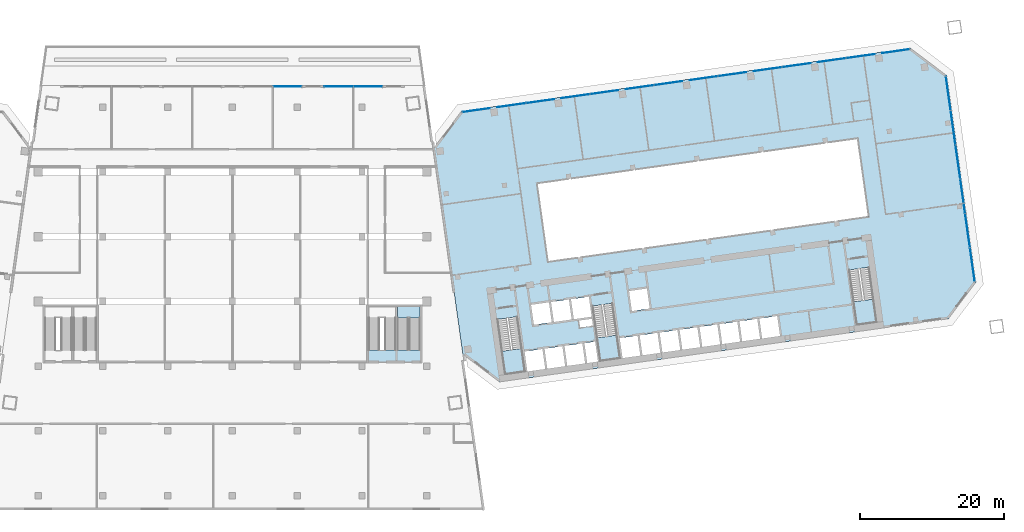
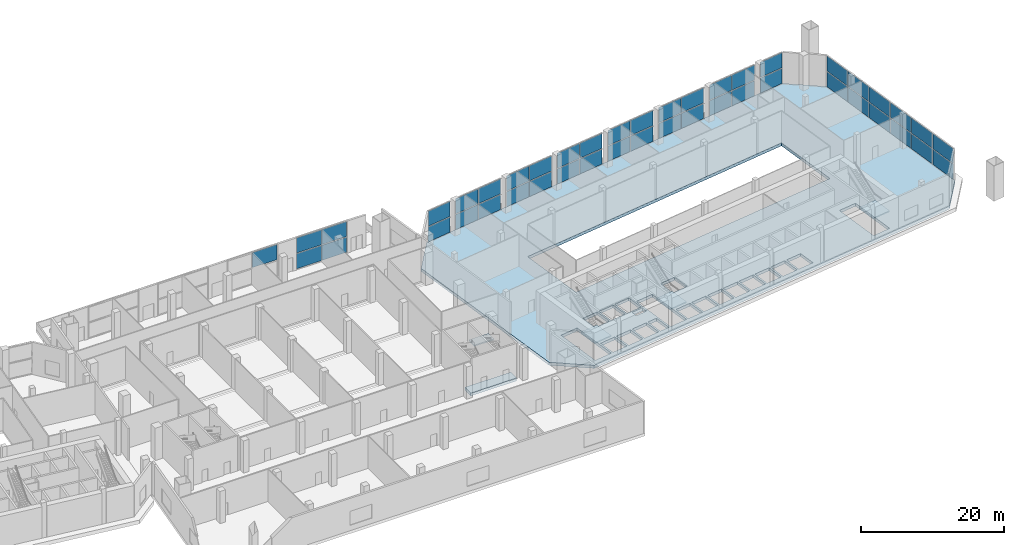
# One storey, part 8 of 24: 45 plates, 6 slabs, 8 elements without a shape of their own.
"""IFC4 building model written with IfcOpenShell, lengths in metres."""

from ifc_helpers import new_model, si_unit, direction, frame, origin, origin_2d, place, context, subcontext, project, spatial, polyline, rectangle, outline, extrude, material, layer, layer_set, type_object, element, aggregate, save


model = new_model("IFC4")

# Units and contexts
model_context = context("Model", 3, precision=1e-05, world=origin(), true_north=direction((0.0, 1.0)))
body_context = subcontext(model_context, "Body", "Model", "MODEL_VIEW")
ifc_project = project(units=[si_unit("LENGTHUNIT", "METRE"), si_unit("AREAUNIT", "SQUARE_METRE"), si_unit("VOLUMEUNIT", "CUBIC_METRE"), si_unit("PLANEANGLEUNIT", "RADIAN"), si_unit("MASSUNIT", "GRAM", prefix="KILO")], contexts=[model_context])

# Site, building, storey
site_placement = place(None, origin())
site = spatial("IfcSite", under=ifc_project, at=site_placement, CompositionType="ELEMENT")
building_placement = place(site_placement, origin())
building = spatial("IfcBuilding", under=site, at=building_placement, Name="Mirante Cascada Hotel Towers", CompositionType="ELEMENT")
storey_placement = place(building_placement, frame((0.0, 0.0, 17.5)))
storey = spatial("IfcBuildingStorey", under=building, at=storey_placement, Name="L02", CompositionType="ELEMENT", Elevation=17.5)

# Curtain wall, plates
ifc_material_1 = material(Name="Aluminium mullion and transom frame with clear laminated glass", Category="aluminium")
curtain_wall_type = type_object("IfcCurtainWallType", Name="Podium curtain wall ECW3", PredefinedType="NOTDEFINED", material=ifc_material_1)
curtain_wall_1_placement = place(storey_placement, origin())
curtain_wall_1 = element("IfcCurtainWall", 1, at=curtain_wall_1_placement, inside=storey, type_object=curtain_wall_type, Name="Front podium glazing T2 L02", PredefinedType="NOTDEFINED")
ifc_material_2 = material(Name="Clear laminated glass", Category="glass")
ifc_layer_1 = layer(ifc_material_2, 0.04)
ifc_layer_set_1 = layer_set([ifc_layer_1], Name="ECW3 glass panel 40")
plate_type = type_object("IfcPlateType", Name="ECW3 glass panel 40", PredefinedType="CURTAIN_PANEL", material=ifc_layer_set_1)
plate_1_placement = place(storey_placement, frame((92.1787, 25.7739, 0.12), z_axis=(0.0, 0.0, 1.0), x_axis=(-0.9902681, -0.1391731, 0.0)))
plate_1 = element("IfcPlate", 2, at=plate_1_placement, type_object=plate_type, Name="ECW3 panel 1", PredefinedType="CURTAIN_PANEL", context=body_context, shape_type="SweptSolid", body=[
    extrude(rectangle(XDim=3.8379, YDim=0.04, at=origin_2d()), origin(), (0.0, 0.0, 1.0), 2.57),
])
plate_2_placement = place(storey_placement, frame((92.1787, 25.7739, 2.81), z_axis=(0.0, 0.0, 1.0), x_axis=(-0.9902681, -0.1391731, 0.0)))
plate_2 = element("IfcPlate", 3, at=plate_2_placement, type_object=plate_type, Name="ECW3 panel 1", PredefinedType="CURTAIN_PANEL", context=body_context, shape_type="SweptSolid", body=[
    extrude(rectangle(XDim=3.8379, YDim=0.04, at=origin_2d()), origin(), (0.0, 0.0, 1.0), 2.57),
])
plate_3_placement = place(storey_placement, frame((87.2757, 25.0848, 0.12), z_axis=(0.0, 0.0, 1.0), x_axis=(-0.9902681, -0.1391731, 0.0)))
plate_3 = element("IfcPlate", 4, at=plate_3_placement, type_object=plate_type, Name="ECW3 panel 2", PredefinedType="CURTAIN_PANEL", context=body_context, shape_type="SweptSolid", body=[
    extrude(rectangle(XDim=3.9844, YDim=0.04, at=origin_2d()), origin(), (0.0, 0.0, 1.0), 2.57),
])
plate_4_placement = place(storey_placement, frame((87.2757, 25.0848, 2.81), z_axis=(0.0, 0.0, 1.0), x_axis=(-0.9902681, -0.1391731, 0.0)))
plate_4 = element("IfcPlate", 5, at=plate_4_placement, type_object=plate_type, Name="ECW3 panel 2", PredefinedType="CURTAIN_PANEL", context=body_context, shape_type="SweptSolid", body=[
    extrude(rectangle(XDim=3.9844, YDim=0.04, at=origin_2d()), origin(), (0.0, 0.0, 1.0), 2.57),
])
plate_5_placement = place(storey_placement, frame((83.2949, 24.5254, 0.12), z_axis=(0.0, 0.0, 1.0), x_axis=(-0.9902681, -0.1391731, 0.0)))
plate_5 = element("IfcPlate", 6, at=plate_5_placement, type_object=plate_type, Name="ECW3 panel 3", PredefinedType="CURTAIN_PANEL", context=body_context, shape_type="SweptSolid", body=[
    extrude(rectangle(XDim=3.8956, YDim=0.04, at=origin_2d()), origin(), (0.0, 0.0, 1.0), 2.57),
])
plate_6_placement = place(storey_placement, frame((83.2949, 24.5254, 2.81), z_axis=(0.0, 0.0, 1.0), x_axis=(-0.9902681, -0.1391731, 0.0)))
plate_6 = element("IfcPlate", 7, at=plate_6_placement, type_object=plate_type, Name="ECW3 panel 3", PredefinedType="CURTAIN_PANEL", context=body_context, shape_type="SweptSolid", body=[
    extrude(rectangle(XDim=3.8956, YDim=0.04, at=origin_2d()), origin(), (0.0, 0.0, 1.0), 2.57),
])
plate_7_placement = place(storey_placement, frame((78.3721, 23.8335, 0.12), z_axis=(0.0, 0.0, 1.0), x_axis=(-0.9902681, -0.1391731, 0.0)))
plate_7 = element("IfcPlate", 8, at=plate_7_placement, type_object=plate_type, Name="ECW3 panel 4", PredefinedType="CURTAIN_PANEL", context=body_context, shape_type="SweptSolid", body=[
    extrude(rectangle(XDim=3.9666, YDim=0.04, at=origin_2d()), origin(), (0.0, 0.0, 1.0), 2.57),
])
plate_8_placement = place(storey_placement, frame((78.3721, 23.8335, 2.81), z_axis=(0.0, 0.0, 1.0), x_axis=(-0.9902681, -0.1391731, 0.0)))
plate_8 = element("IfcPlate", 9, at=plate_8_placement, type_object=plate_type, Name="ECW3 panel 4", PredefinedType="CURTAIN_PANEL", context=body_context, shape_type="SweptSolid", body=[
    extrude(rectangle(XDim=3.9666, YDim=0.04, at=origin_2d()), origin(), (0.0, 0.0, 1.0), 2.57),
])
plate_9_placement = place(storey_placement, frame((74.3912, 23.274, 0.12), z_axis=(0.0, 0.0, 1.0), x_axis=(-0.9902681, -0.1391731, 0.0)))
plate_9 = element("IfcPlate", 10, at=plate_9_placement, type_object=plate_type, Name="ECW3 panel 5", PredefinedType="CURTAIN_PANEL", context=body_context, shape_type="SweptSolid", body=[
    extrude(rectangle(XDim=3.9134, YDim=0.04, at=origin_2d()), origin(), (0.0, 0.0, 1.0), 2.57),
])
plate_10_placement = place(storey_placement, frame((74.3912, 23.274, 2.81), z_axis=(0.0, 0.0, 1.0), x_axis=(-0.9902681, -0.1391731, 0.0)))
plate_10 = element("IfcPlate", 11, at=plate_10_placement, type_object=plate_type, Name="ECW3 panel 5", PredefinedType="CURTAIN_PANEL", context=body_context, shape_type="SweptSolid", body=[
    extrude(rectangle(XDim=3.9134, YDim=0.04, at=origin_2d()), origin(), (0.0, 0.0, 1.0), 2.57),
])
plate_11_placement = place(storey_placement, frame((69.4685, 22.5822, 0.12), z_axis=(0.0, 0.0, 1.0), x_axis=(-0.9902681, -0.1391731, 0.0)))
plate_11 = element("IfcPlate", 12, at=plate_11_placement, type_object=plate_type, Name="ECW3 panel 6", PredefinedType="CURTAIN_PANEL", context=body_context, shape_type="SweptSolid", body=[
    extrude(rectangle(XDim=3.9489, YDim=0.04, at=origin_2d()), origin(), (0.0, 0.0, 1.0), 2.57),
])
plate_12_placement = place(storey_placement, frame((69.4685, 22.5822, 2.81), z_axis=(0.0, 0.0, 1.0), x_axis=(-0.9902681, -0.1391731, 0.0)))
plate_12 = element("IfcPlate", 13, at=plate_12_placement, type_object=plate_type, Name="ECW3 panel 6", PredefinedType="CURTAIN_PANEL", context=body_context, shape_type="SweptSolid", body=[
    extrude(rectangle(XDim=3.9489, YDim=0.04, at=origin_2d()), origin(), (0.0, 0.0, 1.0), 2.57),
])
plate_13_placement = place(storey_placement, frame((65.4876, 22.0227, 0.12), z_axis=(0.0, 0.0, 1.0), x_axis=(-0.9902681, -0.1391731, 0.0)))
plate_13 = element("IfcPlate", 14, at=plate_13_placement, type_object=plate_type, Name="ECW3 panel 7", PredefinedType="CURTAIN_PANEL", context=body_context, shape_type="SweptSolid", body=[
    extrude(rectangle(XDim=3.9311, YDim=0.04, at=origin_2d()), origin(), (0.0, 0.0, 1.0), 2.57),
])
plate_14_placement = place(storey_placement, frame((65.4876, 22.0227, 2.81), z_axis=(0.0, 0.0, 1.0), x_axis=(-0.9902681, -0.1391731, 0.0)))
plate_14 = element("IfcPlate", 15, at=plate_14_placement, type_object=plate_type, Name="ECW3 panel 7", PredefinedType="CURTAIN_PANEL", context=body_context, shape_type="SweptSolid", body=[
    extrude(rectangle(XDim=3.9311, YDim=0.04, at=origin_2d()), origin(), (0.0, 0.0, 1.0), 2.57),
])
plate_15_placement = place(storey_placement, frame((60.5649, 21.3309, 0.12), z_axis=(0.0, 0.0, 1.0), x_axis=(-0.9902681, -0.1391731, 0.0)))
plate_15 = element("IfcPlate", 16, at=plate_15_placement, type_object=plate_type, Name="ECW3 panel 8", PredefinedType="CURTAIN_PANEL", context=body_context, shape_type="SweptSolid", body=[
    extrude(rectangle(XDim=3.9311, YDim=0.04, at=origin_2d()), origin(), (0.0, 0.0, 1.0), 2.57),
])
plate_16_placement = place(storey_placement, frame((60.5649, 21.3309, 2.81), z_axis=(0.0, 0.0, 1.0), x_axis=(-0.9902681, -0.1391731, 0.0)))
plate_16 = element("IfcPlate", 17, at=plate_16_placement, type_object=plate_type, Name="ECW3 panel 8", PredefinedType="CURTAIN_PANEL", context=body_context, shape_type="SweptSolid", body=[
    extrude(rectangle(XDim=3.9311, YDim=0.04, at=origin_2d()), origin(), (0.0, 0.0, 1.0), 2.57),
])
plate_17_placement = place(storey_placement, frame((56.584, 20.7714, 0.12), z_axis=(0.0, 0.0, 1.0), x_axis=(-0.9902681, -0.1391731, 0.0)))
plate_17 = element("IfcPlate", 18, at=plate_17_placement, type_object=plate_type, Name="ECW3 panel 9", PredefinedType="CURTAIN_PANEL", context=body_context, shape_type="SweptSolid", body=[
    extrude(rectangle(XDim=3.9489, YDim=0.04, at=origin_2d()), origin(), (0.0, 0.0, 1.0), 2.57),
])
plate_18_placement = place(storey_placement, frame((56.584, 20.7714, 2.81), z_axis=(0.0, 0.0, 1.0), x_axis=(-0.9902681, -0.1391731, 0.0)))
plate_18 = element("IfcPlate", 19, at=plate_18_placement, type_object=plate_type, Name="ECW3 panel 9", PredefinedType="CURTAIN_PANEL", context=body_context, shape_type="SweptSolid", body=[
    extrude(rectangle(XDim=3.9489, YDim=0.04, at=origin_2d()), origin(), (0.0, 0.0, 1.0), 2.57),
])
plate_19_placement = place(storey_placement, frame((51.6612, 20.0795, 0.12), z_axis=(0.0, 0.0, 1.0), x_axis=(-0.9902681, -0.1391731, 0.0)))
plate_19 = element("IfcPlate", 20, at=plate_19_placement, type_object=plate_type, Name="ECW3 panel 10", PredefinedType="CURTAIN_PANEL", context=body_context, shape_type="SweptSolid", body=[
    extrude(rectangle(XDim=3.9134, YDim=0.04, at=origin_2d()), origin(), (0.0, 0.0, 1.0), 2.57),
])
plate_20_placement = place(storey_placement, frame((51.6612, 20.0795, 2.81), z_axis=(0.0, 0.0, 1.0), x_axis=(-0.9902681, -0.1391731, 0.0)))
plate_20 = element("IfcPlate", 21, at=plate_20_placement, type_object=plate_type, Name="ECW3 panel 10", PredefinedType="CURTAIN_PANEL", context=body_context, shape_type="SweptSolid", body=[
    extrude(rectangle(XDim=3.9134, YDim=0.04, at=origin_2d()), origin(), (0.0, 0.0, 1.0), 2.57),
])
plate_21_placement = place(storey_placement, frame((47.6804, 19.5201, 0.12), z_axis=(0.0, 0.0, 1.0), x_axis=(-0.9902681, -0.1391731, 0.0)))
plate_21 = element("IfcPlate", 22, at=plate_21_placement, type_object=plate_type, Name="ECW3 panel 11", PredefinedType="CURTAIN_PANEL", context=body_context, shape_type="SweptSolid", body=[
    extrude(rectangle(XDim=3.9666, YDim=0.04, at=origin_2d()), origin(), (0.0, 0.0, 1.0), 2.57),
])
plate_22_placement = place(storey_placement, frame((47.6804, 19.5201, 2.81), z_axis=(0.0, 0.0, 1.0), x_axis=(-0.9902681, -0.1391731, 0.0)))
plate_22 = element("IfcPlate", 23, at=plate_22_placement, type_object=plate_type, Name="ECW3 panel 11", PredefinedType="CURTAIN_PANEL", context=body_context, shape_type="SweptSolid", body=[
    extrude(rectangle(XDim=3.9666, YDim=0.04, at=origin_2d()), origin(), (0.0, 0.0, 1.0), 2.57),
])
plate_23_placement = place(storey_placement, frame((42.7576, 18.8282, 0.12), z_axis=(0.0, 0.0, 1.0), x_axis=(-0.9902681, -0.1391731, 0.0)))
plate_23 = element("IfcPlate", 24, at=plate_23_placement, type_object=plate_type, Name="ECW3 panel 12", PredefinedType="CURTAIN_PANEL", context=body_context, shape_type="SweptSolid", body=[
    extrude(rectangle(XDim=3.8956, YDim=0.04, at=origin_2d()), origin(), (0.0, 0.0, 1.0), 2.57),
])
plate_24_placement = place(storey_placement, frame((42.7576, 18.8282, 2.81), z_axis=(0.0, 0.0, 1.0), x_axis=(-0.9902681, -0.1391731, 0.0)))
plate_24 = element("IfcPlate", 25, at=plate_24_placement, type_object=plate_type, Name="ECW3 panel 12", PredefinedType="CURTAIN_PANEL", context=body_context, shape_type="SweptSolid", body=[
    extrude(rectangle(XDim=3.8956, YDim=0.04, at=origin_2d()), origin(), (0.0, 0.0, 1.0), 2.57),
])
plate_25_placement = place(storey_placement, frame((38.7767, 18.2687, 0.12), z_axis=(0.0, 0.0, 1.0), x_axis=(-0.9902681, -0.1391731, 0.0)))
plate_25 = element("IfcPlate", 26, at=plate_25_placement, type_object=plate_type, Name="ECW3 panel 13", PredefinedType="CURTAIN_PANEL", context=body_context, shape_type="SweptSolid", body=[
    extrude(rectangle(XDim=3.9844, YDim=0.04, at=origin_2d()), origin(), (0.0, 0.0, 1.0), 2.57),
])
plate_26_placement = place(storey_placement, frame((38.7767, 18.2687, 2.81), z_axis=(0.0, 0.0, 1.0), x_axis=(-0.9902681, -0.1391731, 0.0)))
plate_26 = element("IfcPlate", 27, at=plate_26_placement, type_object=plate_type, Name="ECW3 panel 13", PredefinedType="CURTAIN_PANEL", context=body_context, shape_type="SweptSolid", body=[
    extrude(rectangle(XDim=3.9844, YDim=0.04, at=origin_2d()), origin(), (0.0, 0.0, 1.0), 2.57),
])
plate_27_placement = place(storey_placement, frame((33.8738, 17.5797, 0.12), z_axis=(0.0, 0.0, 1.0), x_axis=(-0.9902681, -0.1391731, 0.0)))
plate_27 = element("IfcPlate", 28, at=plate_27_placement, type_object=plate_type, Name="ECW3 panel 14", PredefinedType="CURTAIN_PANEL", context=body_context, shape_type="SweptSolid", body=[
    extrude(rectangle(XDim=3.8379, YDim=0.04, at=origin_2d()), origin(), (0.0, 0.0, 1.0), 2.57),
])
plate_28_placement = place(storey_placement, frame((33.8738, 17.5797, 2.81), z_axis=(0.0, 0.0, 1.0), x_axis=(-0.9902681, -0.1391731, 0.0)))
plate_28 = element("IfcPlate", 29, at=plate_28_placement, type_object=plate_type, Name="ECW3 panel 14", PredefinedType="CURTAIN_PANEL", context=body_context, shape_type="SweptSolid", body=[
    extrude(rectangle(XDim=3.8379, YDim=0.04, at=origin_2d()), origin(), (0.0, 0.0, 1.0), 2.57),
])
aggregate(curtain_wall_1, [plate_1, plate_2, plate_3, plate_4, plate_5, plate_6, plate_7, plate_8, plate_9, plate_10, plate_11, plate_12, plate_13, plate_14, plate_15, plate_16, plate_17, plate_18, plate_19, plate_20, plate_21, plate_22, plate_23, plate_24, plate_25, plate_26, plate_27, plate_28])

curtain_wall_2_placement = place(storey_placement, origin())
curtain_wall_2 = element("IfcCurtainWall", 30, at=curtain_wall_2_placement, inside=storey, type_object=curtain_wall_type, Name="Outer end podium glazing T2 L02", PredefinedType="NOTDEFINED")
plate_29_placement = place(storey_placement, frame((102.8224, -3.8951, 0.12), z_axis=(0.0, 0.0, 1.0), x_axis=(-0.1391731, 0.9902681, 0.0)))
plate_29 = element("IfcPlate", 31, at=plate_29_placement, type_object=plate_type, Name="ECW3 panel 1", PredefinedType="CURTAIN_PANEL", context=body_context, shape_type="SweptSolid", body=[
    extrude(rectangle(XDim=4.6926, YDim=0.04, at=origin_2d()), origin(), (0.0, 0.0, 1.0), 2.57),
])
plate_30_placement = place(storey_placement, frame((102.8224, -3.8951, 2.81), z_axis=(0.0, 0.0, 1.0), x_axis=(-0.1391731, 0.9902681, 0.0)))
plate_30 = element("IfcPlate", 32, at=plate_30_placement, type_object=plate_type, Name="ECW3 panel 1", PredefinedType="CURTAIN_PANEL", context=body_context, shape_type="SweptSolid", body=[
    extrude(rectangle(XDim=4.6926, YDim=0.04, at=origin_2d()), origin(), (0.0, 0.0, 1.0), 2.57),
])
plate_31_placement = place(storey_placement, frame((102.1554, 0.8509, 0.12), z_axis=(0.0, 0.0, 1.0), x_axis=(-0.1391731, 0.9902681, 0.0)))
plate_31 = element("IfcPlate", 33, at=plate_31_placement, type_object=plate_type, Name="ECW3 panel 2", PredefinedType="CURTAIN_PANEL", context=body_context, shape_type="SweptSolid", body=[
    extrude(rectangle(XDim=4.7326, YDim=0.04, at=origin_2d()), origin(), (0.0, 0.0, 1.0), 2.57),
])
plate_32_placement = place(storey_placement, frame((102.1554, 0.8509, 2.81), z_axis=(0.0, 0.0, 1.0), x_axis=(-0.1391731, 0.9902681, 0.0)))
plate_32 = element("IfcPlate", 34, at=plate_32_placement, type_object=plate_type, Name="ECW3 panel 2", PredefinedType="CURTAIN_PANEL", context=body_context, shape_type="SweptSolid", body=[
    extrude(rectangle(XDim=4.7326, YDim=0.04, at=origin_2d()), origin(), (0.0, 0.0, 1.0), 2.57),
])
plate_33_placement = place(storey_placement, frame((101.4857, 5.6167, 0.12), z_axis=(0.0, 0.0, 1.0), x_axis=(-0.1391731, 0.9902681, 0.0)))
plate_33 = element("IfcPlate", 35, at=plate_33_placement, type_object=plate_type, Name="ECW3 panel 3", PredefinedType="CURTAIN_PANEL", context=body_context, shape_type="SweptSolid", body=[
    extrude(rectangle(XDim=4.7326, YDim=0.04, at=origin_2d()), origin(), (0.0, 0.0, 1.0), 2.57),
])
plate_34_placement = place(storey_placement, frame((101.4857, 5.6167, 2.81), z_axis=(0.0, 0.0, 1.0), x_axis=(-0.1391731, 0.9902681, 0.0)))
plate_34 = element("IfcPlate", 36, at=plate_34_placement, type_object=plate_type, Name="ECW3 panel 3", PredefinedType="CURTAIN_PANEL", context=body_context, shape_type="SweptSolid", body=[
    extrude(rectangle(XDim=4.7326, YDim=0.04, at=origin_2d()), origin(), (0.0, 0.0, 1.0), 2.57),
])
plate_35_placement = place(storey_placement, frame((100.8159, 10.3825, 0.12), z_axis=(0.0, 0.0, 1.0), x_axis=(-0.1391731, 0.9902681, 0.0)))
plate_35 = element("IfcPlate", 37, at=plate_35_placement, type_object=plate_type, Name="ECW3 panel 4", PredefinedType="CURTAIN_PANEL", context=body_context, shape_type="SweptSolid", body=[
    extrude(rectangle(XDim=4.7326, YDim=0.04, at=origin_2d()), origin(), (0.0, 0.0, 1.0), 2.57),
])
plate_36_placement = place(storey_placement, frame((100.8159, 10.3825, 2.81), z_axis=(0.0, 0.0, 1.0), x_axis=(-0.1391731, 0.9902681, 0.0)))
plate_36 = element("IfcPlate", 38, at=plate_36_placement, type_object=plate_type, Name="ECW3 panel 4", PredefinedType="CURTAIN_PANEL", context=body_context, shape_type="SweptSolid", body=[
    extrude(rectangle(XDim=4.7326, YDim=0.04, at=origin_2d()), origin(), (0.0, 0.0, 1.0), 2.57),
])
plate_37_placement = place(storey_placement, frame((100.1461, 15.1483, 0.12), z_axis=(0.0, 0.0, 1.0), x_axis=(-0.1391731, 0.9902681, 0.0)))
plate_37 = element("IfcPlate", 39, at=plate_37_placement, type_object=plate_type, Name="ECW3 panel 5", PredefinedType="CURTAIN_PANEL", context=body_context, shape_type="SweptSolid", body=[
    extrude(rectangle(XDim=4.7326, YDim=0.04, at=origin_2d()), origin(), (0.0, 0.0, 1.0), 2.57),
])
plate_38_placement = place(storey_placement, frame((100.1461, 15.1483, 2.81), z_axis=(0.0, 0.0, 1.0), x_axis=(-0.1391731, 0.9902681, 0.0)))
plate_38 = element("IfcPlate", 40, at=plate_38_placement, type_object=plate_type, Name="ECW3 panel 5", PredefinedType="CURTAIN_PANEL", context=body_context, shape_type="SweptSolid", body=[
    extrude(rectangle(XDim=4.7326, YDim=0.04, at=origin_2d()), origin(), (0.0, 0.0, 1.0), 2.57),
])
plate_39_placement = place(storey_placement, frame((99.4791, 19.8942, 0.12), z_axis=(0.0, 0.0, 1.0), x_axis=(-0.1391731, 0.9902681, 0.0)))
plate_39 = element("IfcPlate", 41, at=plate_39_placement, type_object=plate_type, Name="ECW3 panel 6", PredefinedType="CURTAIN_PANEL", context=body_context, shape_type="SweptSolid", body=[
    extrude(rectangle(XDim=4.6926, YDim=0.04, at=origin_2d()), origin(), (0.0, 0.0, 1.0), 2.57),
])
plate_40_placement = place(storey_placement, frame((99.4791, 19.8942, 2.81), z_axis=(0.0, 0.0, 1.0), x_axis=(-0.1391731, 0.9902681, 0.0)))
plate_40 = element("IfcPlate", 42, at=plate_40_placement, type_object=plate_type, Name="ECW3 panel 6", PredefinedType="CURTAIN_PANEL", context=body_context, shape_type="SweptSolid", body=[
    extrude(rectangle(XDim=4.6926, YDim=0.04, at=origin_2d()), origin(), (0.0, 0.0, 1.0), 2.57),
])
aggregate(curtain_wall_2, [plate_29, plate_30, plate_31, plate_32, plate_33, plate_34, plate_35, plate_36, plate_37, plate_38, plate_39, plate_40])

curtain_wall_3_placement = place(storey_placement, origin())
curtain_wall_3 = element("IfcCurtainWall", 43, at=curtain_wall_3_placement, inside=storey, type_object=curtain_wall_type, Name="Podium curtain wall L02 run 4.2", PredefinedType="NOTDEFINED")
plate_41_placement = place(storey_placement, frame((18.838, 20.85, 0.12), z_axis=(0.0, 0.0, 1.0), x_axis=(-1.0, 0.0, 0.0)))
plate_41 = element("IfcPlate", 44, at=plate_41_placement, type_object=plate_type, Name="ECW3 panel 1", PredefinedType="CURTAIN_PANEL", context=body_context, shape_type="SweptSolid", body=[
    extrude(rectangle(XDim=3.982, YDim=0.04, at=origin_2d()), origin(), (0.0, 0.0, 1.0), 2.57),
])
plate_42_placement = place(storey_placement, frame((18.838, 20.85, 2.81), z_axis=(0.0, 0.0, 1.0), x_axis=(-1.0, 0.0, 0.0)))
plate_42 = element("IfcPlate", 45, at=plate_42_placement, type_object=plate_type, Name="ECW3 panel 1", PredefinedType="CURTAIN_PANEL", context=body_context, shape_type="SweptSolid", body=[
    extrude(rectangle(XDim=3.982, YDim=0.04, at=origin_2d()), origin(), (0.0, 0.0, 1.0), 2.57),
])
plate_43_placement = place(storey_placement, frame((14.776, 20.85, 0.12), z_axis=(0.0, 0.0, 1.0), x_axis=(-1.0, 0.0, 0.0)))
plate_43 = element("IfcPlate", 46, at=plate_43_placement, type_object=plate_type, Name="ECW3 panel 2", PredefinedType="CURTAIN_PANEL", context=body_context, shape_type="SweptSolid", body=[
    extrude(rectangle(XDim=3.982, YDim=0.04, at=origin_2d()), origin(), (0.0, 0.0, 1.0), 2.57),
])
plate_44_placement = place(storey_placement, frame((14.776, 20.85, 2.81), z_axis=(0.0, 0.0, 1.0), x_axis=(-1.0, 0.0, 0.0)))
plate_44 = element("IfcPlate", 47, at=plate_44_placement, type_object=plate_type, Name="ECW3 panel 2", PredefinedType="CURTAIN_PANEL", context=body_context, shape_type="SweptSolid", body=[
    extrude(rectangle(XDim=3.982, YDim=0.04, at=origin_2d()), origin(), (0.0, 0.0, 1.0), 2.57),
])
aggregate(curtain_wall_3, [plate_41, plate_42, plate_43, plate_44])

# Curtain wall, plate
curtain_wall_4_placement = place(storey_placement, origin())
curtain_wall_4 = element("IfcCurtainWall", 48, at=curtain_wall_4_placement, inside=storey, type_object=curtain_wall_type, Name="Podium curtain wall L02 run 4.4", PredefinedType="NOTDEFINED")
plate_45_placement = place(storey_placement, frame((7.6338, 20.85, 2.81), z_axis=(0.0, 0.0, 1.0), x_axis=(-1.0, 0.0, 0.0)))
plate_45 = element("IfcPlate", 49, at=plate_45_placement, type_object=plate_type, Name="ECW3 panel 1", PredefinedType="CURTAIN_PANEL", context=body_context, shape_type="SweptSolid", body=[
    extrude(rectangle(XDim=3.9825, YDim=0.04, at=origin_2d()), origin(), (0.0, 0.0, 1.0), 2.57),
])
aggregate(curtain_wall_4, [plate_45])

# Stair, slab
ifc_material_3 = material(Name="Concrete C35/45", Category="concrete")
stair_type_1 = type_object("IfcStairType", Name="Exit stair half-turn 1350 concrete C35/45", PredefinedType="HALF_TURN_STAIR", material=ifc_material_3)
stair_1_placement = place(storey_placement, origin())
stair_1 = element("IfcStair", 50, at=stair_1_placement, inside=storey, type_object=stair_type_1, Name="L02 Exit stair A", PredefinedType="HALF_TURN_STAIR")
ifc_material_4 = material(Name="Concrete C35/45", Category="concrete")
ifc_layer_2 = layer(ifc_material_4, 0.2)
ifc_layer_set_2 = layer_set([ifc_layer_2], Name="Exit stair landing 200 concrete C35/45")
slab_type_1 = type_object("IfcSlabType", Name="Exit stair landing 200 concrete C35/45", PredefinedType="LANDING", material=ifc_layer_set_2)
slab_1_placement = place(storey_placement, frame((0.0, 0.0, 2.8)))
slab_1 = element("IfcSlab", 51, at=slab_1_placement, type_object=slab_type_1, Name="ST2-A landing 1", PredefinedType="LANDING", context=body_context, shape_type="SweptSolid", body=[
    extrude(outline(polyline([(37.4103, -15.9262), (37.8665, -19.1723), (40.6887, -18.7757), (40.2325, -15.5296), (37.4103, -15.9262)])), origin(), (0.0, 0.0, 1.0), 0.2),
])
aggregate(stair_1, [slab_1])

stair_2_placement = place(storey_placement, origin())
stair_2 = element("IfcStair", 52, at=stair_2_placement, inside=storey, type_object=stair_type_1, Name="L02 Exit stair B", PredefinedType="HALF_TURN_STAIR")
slab_2_placement = place(storey_placement, frame((0.0, 0.0, 2.8)))
slab_2 = element("IfcSlab", 53, at=slab_2_placement, type_object=slab_type_1, Name="ST2-B landing 1", PredefinedType="LANDING", context=body_context, shape_type="SweptSolid", body=[
    extrude(outline(polyline([(50.6304, -14.0683), (51.0866, -17.3144), (53.9088, -16.9177), (53.4526, -13.6716), (50.6304, -14.0683)])), origin(), (0.0, 0.0, 1.0), 0.2),
])
aggregate(stair_2, [slab_2])

stair_3_placement = place(storey_placement, origin())
stair_3 = element("IfcStair", 54, at=stair_3_placement, inside=storey, type_object=stair_type_1, Name="L02 Exit stair C", PredefinedType="HALF_TURN_STAIR")
slab_3_placement = place(storey_placement, frame((0.0, 0.0, 2.8)))
slab_3 = element("IfcSlab", 55, at=slab_3_placement, type_object=slab_type_1, Name="ST2-C landing 1", PredefinedType="LANDING", context=body_context, shape_type="SweptSolid", body=[
    extrude(outline(polyline([(86.28, -9.058), (86.7362, -12.3041), (89.5585, -11.9075), (89.1023, -8.6614), (86.28, -9.058)])), origin(), (0.0, 0.0, 1.0), 0.2),
])
aggregate(stair_3, [slab_3])

ifc_material_5 = material(Name="Concrete C35/45", Category="concrete")
stair_type_2 = type_object("IfcStairType", Name="Podium exit stair half-turn 1500 concrete C35/45", PredefinedType="HALF_TURN_STAIR", material=ifc_material_5)
stair_4_placement = place(storey_placement, origin())
stair_4 = element("IfcStair", 56, at=stair_4_placement, inside=storey, type_object=stair_type_2, Name="L02 Podium exit stair 4", PredefinedType="HALF_TURN_STAIR")
ifc_material_6 = material(Name="Concrete C35/45", Category="concrete")
ifc_layer_3 = layer(ifc_material_6, 0.2)
ifc_layer_set_3 = layer_set([ifc_layer_3], Name="Podium exit stair landing 200 concrete C35/45")
slab_type_2 = type_object("IfcSlabType", Name="Podium exit stair landing 200 concrete C35/45", PredefinedType="LANDING", material=ifc_layer_set_3)
slab_4_placement = place(storey_placement, frame((0.0, 0.0, 2.8)))
slab_4 = element("IfcSlab", 57, at=slab_4_placement, type_object=slab_type_2, Name="PS2 landing 1", PredefinedType="LANDING", context=body_context, shape_type="SweptSolid", body=[
    extrude(outline(polyline([(26.075, -11.295), (26.075, -9.725), (22.925, -9.725), (22.925, -11.295), (26.075, -11.295)])), origin(), (0.0, 0.0, 1.0), 0.2),
])
aggregate(stair_4, [slab_4])

# Slabs
ifc_material_7 = material(Name="Concrete C40/50", Category="concrete")
ifc_layer_4 = layer(ifc_material_7, 0.5)
ifc_layer_set_4 = layer_set([ifc_layer_4], Name="Post-tensioned flat plate 500 Concrete C40/50")
slab_type_3 = type_object("IfcSlabType", Name="Post-tensioned flat plate 500 Concrete C40/50", PredefinedType="FLOOR", material=ifc_layer_set_4)
slab_5_placement = place(storey_placement, frame((0.0, 0.0, -0.5)))
element("IfcSlab", 58, at=slab_5_placement, inside=storey, type_object=slab_type_3, Name="Floor T2 L02", PredefinedType="FLOOR", context=body_context, shape_type="SweptSolid", body=[
    extrude(outline(polyline([(32.018, -16.3589), (27.982, 12.3589), (31.8119, 17.4414), (94.1988, 26.2093), (99.2813, 22.3794), (103.3173, -6.3384), (99.4874, -11.4209), (37.1005, -20.1888), (32.018, -16.3589)]), holes=[polyline([(43.0718, -15.6132), (40.5961, -15.9612), (40.9858, -18.7339), (43.4615, -18.386), (43.0718, -15.6132)]), polyline([(45.8446, -15.2236), (43.3689, -15.5715), (43.7586, -18.3442), (46.2342, -17.9963), (45.8446, -15.2236)]), polyline([(48.6173, -14.8339), (46.1416, -15.1818), (46.5313, -17.9546), (49.007, -17.6066), (48.6173, -14.8339)]), polyline([(50.7895, -17.3561), (50.3998, -14.5834), (48.9144, -14.7921), (49.3041, -17.5649), (50.7895, -17.3561)]), polyline([(56.6816, -16.528), (56.2919, -13.7553), (53.8162, -14.1032), (54.2059, -16.876), (56.6816, -16.528)]), polyline([(37.8665, -19.1723), (40.6887, -18.7757), (39.611, -11.107), (36.7887, -11.5037), (37.8665, -19.1723)]), polyline([(51.0866, -17.3144), (53.9088, -16.9177), (52.8311, -9.2491), (50.0088, -9.6457), (51.0866, -17.3144)]), polyline([(49.9544, -11.4145), (48.1472, -11.6685), (48.2829, -12.634), (50.0901, -12.38), (49.9544, -11.4145)]), polyline([(44.3672, -11.8968), (43.9775, -9.124), (41.5018, -9.472), (41.8915, -12.2447), (44.3672, -11.8968)]), polyline([(47.1399, -11.5071), (46.7503, -8.7344), (44.2746, -9.0823), (44.6643, -11.855), (47.1399, -11.5071)]), polyline([(49.523, -8.3447), (47.0473, -8.6926), (47.437, -11.4654), (49.9127, -11.1174), (49.523, -8.3447)]), polyline([(59.0646, -13.3656), (56.589, -13.7135), (56.9787, -16.4863), (59.4543, -16.1383), (59.0646, -13.3656)]), polyline([(61.8374, -12.9759), (59.3617, -13.3238), (59.7514, -16.0966), (62.2271, -15.7487), (61.8374, -12.9759)]), polyline([(64.9998, -15.359), (64.6101, -12.5862), (62.1345, -12.9342), (62.5242, -15.7069), (64.9998, -15.359)]), polyline([(67.7726, -14.9693), (67.3829, -12.1965), (64.9072, -12.5445), (65.2969, -15.3172), (67.7726, -14.9693)]), polyline([(70.1556, -11.8069), (67.68, -12.1548), (68.0697, -14.9275), (70.5453, -14.5796), (70.1556, -11.8069)]), polyline([(73.3181, -14.1899), (72.9284, -11.4172), (70.4527, -11.7651), (70.8424, -14.5379), (73.3181, -14.1899)]), polyline([(76.0908, -13.8002), (75.7011, -11.0275), (73.2255, -11.3754), (73.6152, -14.1482), (76.0908, -13.8002)]), polyline([(86.7362, -12.3041), (89.5585, -11.9075), (88.4807, -4.2388), (85.6585, -4.6355), (86.7362, -12.3041)]), polyline([(57.9834, -9.9832), (57.5937, -7.2104), (55.118, -7.5583), (55.5077, -10.3311), (57.9834, -9.9832)]), polyline([(88.4039, 2.7747), (86.873, 13.6677), (42.3109, 7.4049), (43.8418, -3.4881), (88.4039, 2.7747)])]), origin(), (0.0, 0.0, 1.0), 0.5),
])
ifc_material_8 = material(Name="Concrete C35/45", Category="concrete")
ifc_layer_5 = layer(ifc_material_8, 0.5)
ifc_layer_set_5 = layer_set([ifc_layer_5], Name="Stair floor landing 500 concrete C35/45")
slab_type_4 = type_object("IfcSlabType", Name="Stair floor landing 500 concrete C35/45", PredefinedType="LANDING", material=ifc_layer_set_5)
slab_6_placement = place(storey_placement, frame((0.0, 0.0, -0.5)))
element("IfcSlab", 59, at=slab_6_placement, inside=storey, type_object=slab_type_4, Name="Exit stair 4 floor landing L02", PredefinedType="LANDING", context=body_context, shape_type="SweptSolid", body=[
    extrude(outline(polyline([(18.8, -17.4), (26.2, -17.4), (26.2, -15.775), (18.8, -15.775), (18.8, -17.4)])), origin(), (0.0, 0.0, 1.0), 0.5),
])

save(model, "model.ifc")
